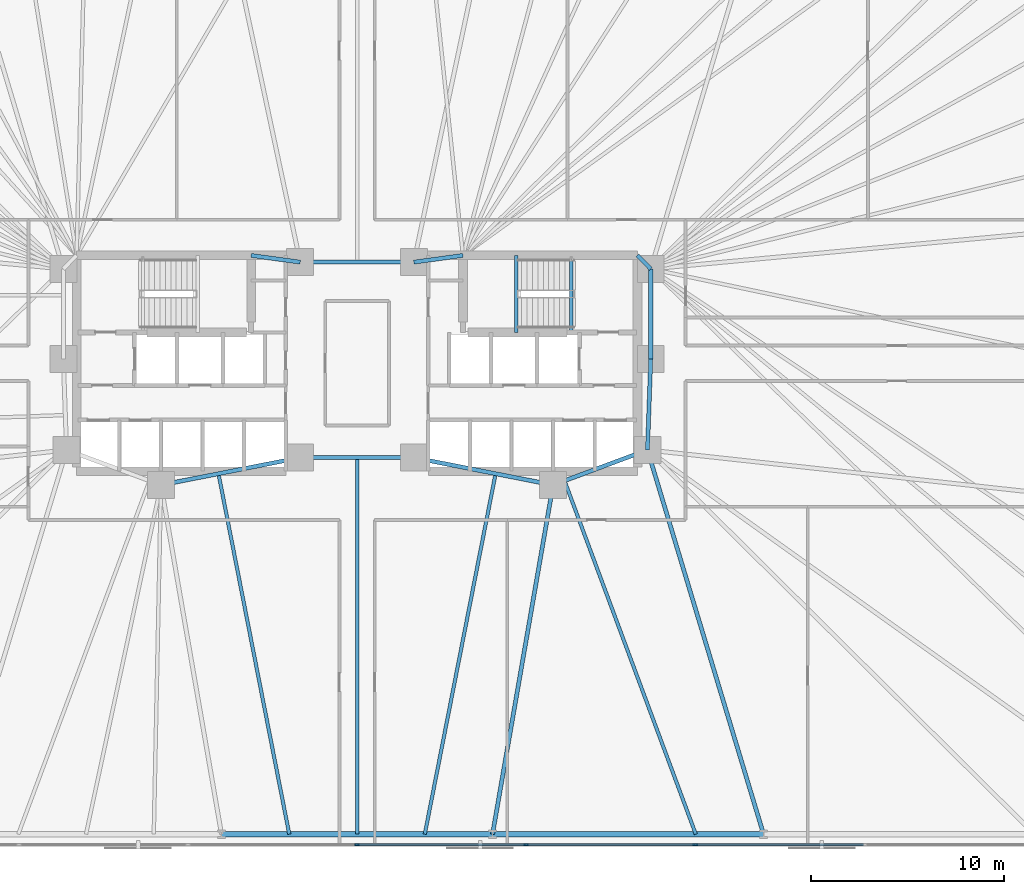
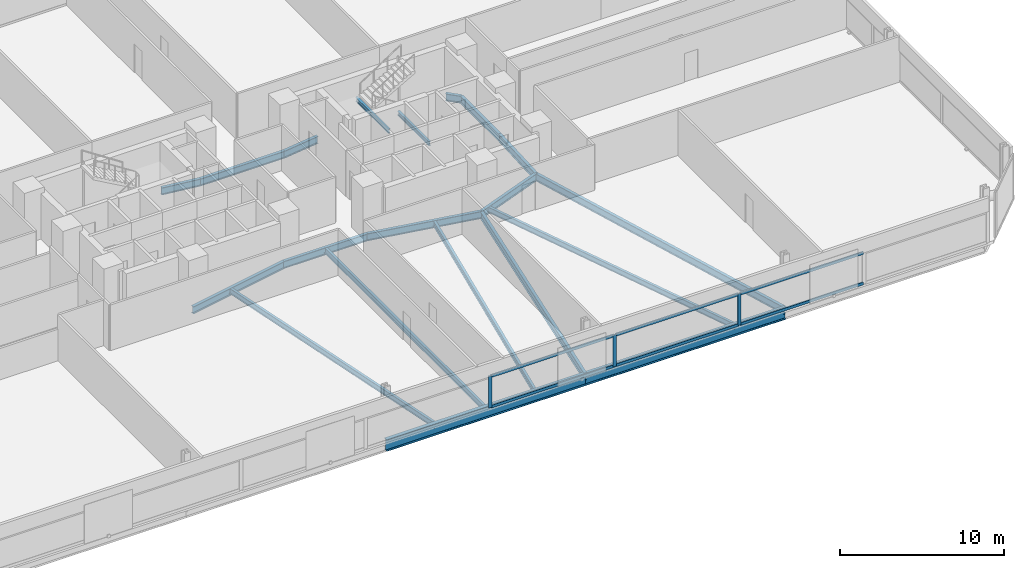
# One storey, part 7 of 17: 20 beams, 9 members, 1 element without a shape of its own.
"""IFC4 building model written with IfcOpenShell, lengths in metres."""

from ifc_helpers import new_model, si_unit, direction, frame, origin, origin_2d, place, context, subcontext, project, spatial, rectangle, i_section, extrude, material, material_profile, profile_set, type_object, element, aggregate, save


model = new_model("IFC4")

# Units and contexts
model_context = context("Model", 3, precision=1e-05, world=origin(), true_north=direction((0.0, 1.0)))
body_context = subcontext(model_context, "Body", "Model", "MODEL_VIEW")
ifc_project = project(units=[si_unit("LENGTHUNIT", "METRE"), si_unit("AREAUNIT", "SQUARE_METRE"), si_unit("VOLUMEUNIT", "CUBIC_METRE"), si_unit("PLANEANGLEUNIT", "RADIAN"), si_unit("MASSUNIT", "GRAM", prefix="KILO")], contexts=[model_context])

# Site, building, storey
site_placement = place(None, origin())
site = spatial("IfcSite", under=ifc_project, at=site_placement, CompositionType="ELEMENT")
building_placement = place(site_placement, origin())
building = spatial("IfcBuilding", under=site, at=building_placement, Name="Menara Jurai Vektor", CompositionType="ELEMENT")
storey_placement = place(building_placement, frame((0.0, 0.0, 75.0)))
storey = spatial("IfcBuildingStorey", under=building, at=storey_placement, Name="L18", CompositionType="ELEMENT", Elevation=75.0)

# Curtain wall, members
ifc_material_1 = material(Name="Anodised Pale Aluminium & Low-E Double Glazing", Category="aluminium")
curtain_wall_type = type_object("IfcCurtainWallType", Name="CW-BLK1", PredefinedType="NOTDEFINED", material=ifc_material_1)
curtain_wall_placement = place(storey_placement, origin())
curtain_wall = element("IfcCurtainWall", 1, at=curtain_wall_placement, inside=storey, type_object=curtain_wall_type, Name="Unitised Curtain Wall L18 F01", PredefinedType="NOTDEFINED")
ifc_material_2 = material(Name="Anodised Pale Aluminium Mullion", Category="aluminium")
ifc_material_profile_1 = material_profile(ifc_material_2, rectangle(XDim=0.094970703125, YDim=0.239990234375, at=origin_2d()), Name="ALU MUL 95x240")
ifc_profile_set_1 = profile_set([ifc_material_profile_1], Name="Anodised Pale Aluminium Mullion")
member_type_1 = type_object("IfcMemberType", Name="CW-BLK1-MUL", PredefinedType="MULLION", material=ifc_profile_set_1)
member_1_placement = place(storey_placement, frame((0.0, -25.0, 0.0), z_axis=(0.0, 0.0, 1.0), x_axis=(0.0, 1.0, 0.0)))
member_1 = element("IfcMember", 2, at=member_1_placement, type_object=member_type_1, Name="CW-01 mullion 5", PredefinedType="MULLION", context=body_context, shape_type="SweptSolid", body=[
    extrude(rectangle(XDim=0.094970703125, YDim=0.239990234375, at=origin_2d()), origin(), (0.0, 0.0, 1.0), 2.35888671875),
])
member_2_placement = place(storey_placement, frame((8.780029296875, -25.0, 0.0), z_axis=(0.0, 0.0, 1.0), x_axis=(0.0, 1.0, 0.0)))
member_2 = element("IfcMember", 3, at=member_2_placement, type_object=member_type_1, Name="CW-01 mullion 6", PredefinedType="MULLION", context=body_context, shape_type="SweptSolid", body=[
    extrude(rectangle(XDim=0.094970703125, YDim=0.239990234375, at=origin_2d()), origin(), (0.0, 0.0, 1.0), 2.35888671875),
])
member_3_placement = place(storey_placement, frame((17.56005859375, -25.0, 0.0), z_axis=(0.0, 0.0, 1.0), x_axis=(0.0, 1.0, 0.0)))
member_3 = element("IfcMember", 4, at=member_3_placement, type_object=member_type_1, Name="CW-01 mullion 7", PredefinedType="MULLION", context=body_context, shape_type="SweptSolid", body=[
    extrude(rectangle(XDim=0.094970703125, YDim=0.239990234375, at=origin_2d()), origin(), (0.0, 0.0, 1.0), 2.35888671875),
])
ifc_material_3 = material(Name="Anodised Pale Aluminium Transom", Category="aluminium")
ifc_material_profile_2 = material_profile(ifc_material_3, rectangle(XDim=0.094970703125, YDim=0.199951171875, at=origin_2d()), Name="ALU TRN 95x200")
ifc_profile_set_2 = profile_set([ifc_material_profile_2], Name="Anodised Pale Aluminium Transom")
member_type_2 = type_object("IfcMemberType", Name="CW-BLK1-TRN", PredefinedType="USERDEFINED", material=ifc_profile_set_2)
member_4_placement = place(storey_placement, frame((0.047607421875, -25.0, 0.047607421875), z_axis=(1.0, 0.0, 0.0), x_axis=(0.0, 1.0, 0.0)))
member_4 = element("IfcMember", 5, at=member_4_placement, type_object=member_type_2, Name="CW-01 transom 5.1", ObjectType="TRANSOM", PredefinedType="USERDEFINED", context=body_context, shape_type="SweptSolid", body=[
    extrude(rectangle(XDim=0.094970703125, YDim=0.199951171875, at=origin_2d()), origin(), (0.0, 0.0, 1.0), 8.684814453125),
])
member_5_placement = place(storey_placement, frame((0.047607421875, -25.0, 2.3115234375), z_axis=(1.0, 0.0, 0.0), x_axis=(0.0, 1.0, 0.0)))
member_5 = element("IfcMember", 6, at=member_5_placement, type_object=member_type_2, Name="CW-01 transom 5.2", ObjectType="TRANSOM", PredefinedType="USERDEFINED", context=body_context, shape_type="SweptSolid", body=[
    extrude(rectangle(XDim=0.094970703125, YDim=0.199951171875, at=origin_2d()), origin(), (0.0, 0.0, 1.0), 8.684814453125),
])
member_6_placement = place(storey_placement, frame((8.827392578125, -25.0, 0.047607421875), z_axis=(1.0, 0.0, 0.0), x_axis=(0.0, 1.0, 0.0)))
member_6 = element("IfcMember", 7, at=member_6_placement, type_object=member_type_2, Name="CW-01 transom 6.1", ObjectType="TRANSOM", PredefinedType="USERDEFINED", context=body_context, shape_type="SweptSolid", body=[
    extrude(rectangle(XDim=0.094970703125, YDim=0.199951171875, at=origin_2d()), origin(), (0.0, 0.0, 1.0), 8.68505859375),
])
member_7_placement = place(storey_placement, frame((8.827392578125, -25.0, 2.3115234375), z_axis=(1.0, 0.0, 0.0), x_axis=(0.0, 1.0, 0.0)))
member_7 = element("IfcMember", 8, at=member_7_placement, type_object=member_type_2, Name="CW-01 transom 6.2", ObjectType="TRANSOM", PredefinedType="USERDEFINED", context=body_context, shape_type="SweptSolid", body=[
    extrude(rectangle(XDim=0.094970703125, YDim=0.199951171875, at=origin_2d()), origin(), (0.0, 0.0, 1.0), 8.68505859375),
])
member_8_placement = place(storey_placement, frame((17.607421875, -25.0, 0.047607421875), z_axis=(1.0, 0.0, 0.0), x_axis=(0.0, 1.0, 0.0)))
member_8 = element("IfcMember", 9, at=member_8_placement, type_object=member_type_2, Name="CW-01 transom 7.1", ObjectType="TRANSOM", PredefinedType="USERDEFINED", context=body_context, shape_type="SweptSolid", body=[
    extrude(rectangle(XDim=0.094970703125, YDim=0.199951171875, at=origin_2d()), origin(), (0.0, 0.0, 1.0), 8.68505859375),
])
member_9_placement = place(storey_placement, frame((17.607421875, -25.0, 2.3115234375), z_axis=(1.0, 0.0, 0.0), x_axis=(0.0, 1.0, 0.0)))
member_9 = element("IfcMember", 10, at=member_9_placement, type_object=member_type_2, Name="CW-01 transom 7.2", ObjectType="TRANSOM", PredefinedType="USERDEFINED", context=body_context, shape_type="SweptSolid", body=[
    extrude(rectangle(XDim=0.094970703125, YDim=0.199951171875, at=origin_2d()), origin(), (0.0, 0.0, 1.0), 8.68505859375),
])
aggregate(curtain_wall, [member_1, member_2, member_3, member_4, member_5, member_6, member_7, member_8, member_9])

# Beams
ifc_material_4 = material(Name="Steel S355", Category="steel")
ifc_material_profile_3 = material_profile(ifc_material_4, i_section(OverallWidth=0.2109375, OverallDepth=0.5390625, WebThickness=0.011962890625, FlangeThickness=0.01904296875, FilletRadius=0.012939453125, at=origin_2d()), Name="UKB 533x210x109")
ifc_profile_set_3 = profile_set([ifc_material_profile_3], Name="Steel S355")
beam_type_1 = type_object("IfcBeamType", Name="STR-BM-533", PredefinedType="BEAM", material=ifc_profile_set_3)
beam_1_placement = place(storey_placement, frame((-5.5, 5.60009765625, -0.494384765625), z_axis=(0.990706818608, -0.136014703483, 0.0), x_axis=(0.136014703483, 0.990706818608, 0.0)))
element("IfcBeam", 11, at=beam_1_placement, inside=storey, type_object=beam_type_1, Name="Core Ring Header Girder L18-CHW-N2", PredefinedType="BEAM", context=body_context, shape_type="SweptSolid", body=[
    extrude(i_section(OverallWidth=0.2109375, OverallDepth=0.5390625, WebThickness=0.011962890625, FlangeThickness=0.01904296875, FilletRadius=0.012939453125, at=origin_2d()), origin(), (0.0, 0.0, 1.0), 2.573974609375),
])
beam_2_placement = place(storey_placement, frame((-10.179931640625, -6.320068359375, -0.494384765625), z_axis=(0.981249044334, 0.192744164614, 0.0), x_axis=(-0.192744164614, 0.981249044334, 0.0)))
element("IfcBeam", 12, at=beam_2_placement, inside=storey, type_object=beam_type_1, Name="Core Ring Header Girder L18-CHW-S2", PredefinedType="BEAM", context=body_context, shape_type="SweptSolid", body=[
    extrude(i_section(OverallWidth=0.2109375, OverallDepth=0.5390625, WebThickness=0.011962890625, FlangeThickness=0.01904296875, FilletRadius=0.012939453125, at=origin_2d()), origin(), (0.0, 0.0, 1.0), 7.3681640625),
])
beam_3_placement = place(storey_placement, frame((2.949951171875, 5.25, -0.494384765625), z_axis=(0.990706818608, 0.136014703483, 0.0), x_axis=(-0.136014703483, 0.990706818608, 0.0)))
element("IfcBeam", 13, at=beam_3_placement, inside=storey, type_object=beam_type_1, Name="Core Ring Header Girder L18-CHE-N1", PredefinedType="BEAM", context=body_context, shape_type="SweptSolid", body=[
    extrude(i_section(OverallWidth=0.2109375, OverallDepth=0.5390625, WebThickness=0.011962890625, FlangeThickness=0.01904296875, FilletRadius=0.012939453125, at=origin_2d()), origin(), (0.0, 0.0, 1.0), 2.573974609375),
])
beam_4_placement = place(storey_placement, frame((14.56005859375, 5.60009765625, -0.494384765625), z_axis=(0.701871936926, -0.712303154672, 0.0), x_axis=(0.712303154672, 0.701871936926, 0.0)))
element("IfcBeam", 14, at=beam_4_placement, inside=storey, type_object=beam_type_1, Name="Core Ring Header Girder L18-CHE-N2", PredefinedType="BEAM", context=body_context, shape_type="SweptSolid", body=[
    extrude(i_section(OverallWidth=0.2109375, OverallDepth=0.5390625, WebThickness=0.011962890625, FlangeThickness=0.01904296875, FilletRadius=0.012939453125, at=origin_2d()), origin(), (0.0, 0.0, 1.0), 0.98291015625),
])
beam_5_placement = place(storey_placement, frame((15.25, 0.219970703125, -0.494384765625), z_axis=(0.0, 1.0, 0.0), x_axis=(-1.0, 0.0, 0.0)))
element("IfcBeam", 15, at=beam_5_placement, inside=storey, type_object=beam_type_1, Name="Core Ring Header Girder L18-CHE-E1", PredefinedType="BEAM", context=body_context, shape_type="SweptSolid", body=[
    extrude(i_section(OverallWidth=0.2109375, OverallDepth=0.5390625, WebThickness=0.011962890625, FlangeThickness=0.01904296875, FilletRadius=0.012939453125, at=origin_2d()), origin(), (0.0, 0.0, 1.0), 4.679931640625),
])
beam_6_placement = place(storey_placement, frame((15.080078125, -4.5, -0.494384765625), z_axis=(0.035977314146, 0.999352606874, 0.0), x_axis=(-0.999352606874, 0.035977314146, 0.0)))
element("IfcBeam", 16, at=beam_6_placement, inside=storey, type_object=beam_type_1, Name="Core Ring Header Girder L18-CHE-E2", PredefinedType="BEAM", context=body_context, shape_type="SweptSolid", body=[
    extrude(i_section(OverallWidth=0.2109375, OverallDepth=0.5390625, WebThickness=0.011962890625, FlangeThickness=0.01904296875, FilletRadius=0.012939453125, at=origin_2d()), origin(), (0.0, 0.0, 1.0), 4.72314453125),
])
beam_7_placement = place(storey_placement, frame((10.179931640625, -6.320068359375, -0.494384765625), z_axis=(0.937424400887, 0.348188874925, 0.0), x_axis=(-0.348188874925, 0.937424400887, 0.0)))
element("IfcBeam", 17, at=beam_7_placement, inside=storey, type_object=beam_type_1, Name="Core Ring Header Girder L18-CHE-S1", PredefinedType="BEAM", context=body_context, shape_type="SweptSolid", body=[
    extrude(i_section(OverallWidth=0.2109375, OverallDepth=0.5390625, WebThickness=0.011962890625, FlangeThickness=0.01904296875, FilletRadius=0.012939453125, at=origin_2d()), origin(), (0.0, 0.0, 1.0), 5.227294921875),
])
beam_8_placement = place(storey_placement, frame((2.949951171875, -4.89990234375, -0.494384765625), z_axis=(0.981249044334, -0.192744164614, 0.0), x_axis=(0.192744164614, 0.981249044334, 0.0)))
element("IfcBeam", 18, at=beam_8_placement, inside=storey, type_object=beam_type_1, Name="Core Ring Header Girder L18-CHE-S2", PredefinedType="BEAM", context=body_context, shape_type="SweptSolid", body=[
    extrude(i_section(OverallWidth=0.2109375, OverallDepth=0.5390625, WebThickness=0.011962890625, FlangeThickness=0.01904296875, FilletRadius=0.012939453125, at=origin_2d()), origin(), (0.0, 0.0, 1.0), 7.3681640625),
])
for number, where, z_axis, x_axis, name in (
    (19, (-2.949951171875, -4.89990234375, -0.494384765625), (1.0, 0.0, 0.0), (0.0, 1.0, 0.0), "Core Ring Header Girder L18-CC-1"),
    (20, (-2.949951171875, 5.25, -0.494384765625), (1.0, 0.0, 0.0), (0.0, 1.0, 0.0), "Core Ring Header Girder L18-CC-2"),
):
    element("IfcBeam", number, at=place(storey_placement, frame(where, z_axis=z_axis, x_axis=x_axis)), inside=storey, type_object=beam_type_1, Name=name, PredefinedType="BEAM", context=body_context, shape_type="SweptSolid", body=[
        extrude(i_section(OverallWidth=0.2109375, OverallDepth=0.5390625, WebThickness=0.011962890625, FlangeThickness=0.01904296875, FilletRadius=0.012939453125, at=origin_2d()), origin(), (0.0, 0.0, 1.0), 5.89990234375),
    ])
beam_9_placement = place(storey_placement, frame((7.03564453125, -24.449951171875, -0.494384765625), z_axis=(0.170880325642, 0.985291791455, 0.0), x_axis=(-0.985291791455, 0.170880325642, 0.0)))
element("IfcBeam", 21, at=beam_9_placement, inside=storey, type_object=beam_type_1, Name="Radial Floor Girder L18-S4", PredefinedType="BEAM", context=body_context, shape_type="SweptSolid", body=[
    extrude(i_section(OverallWidth=0.2109375, OverallDepth=0.5390625, WebThickness=0.011962890625, FlangeThickness=0.01904296875, FilletRadius=0.012939453125, at=origin_2d()), origin(), (0.0, 0.0, 1.0), 18.400634765625),
])
beam_10_placement = place(storey_placement, frame((21.106689453125, -24.449951171875, -0.494384765625), z_axis=(-0.289179812203, 0.957274796604, 0.0), x_axis=(-0.957274796604, -0.289179812203, 0.0)))
element("IfcBeam", 22, at=beam_10_placement, inside=storey, type_object=beam_type_1, Name="Radial Floor Girder L18-S5", PredefinedType="BEAM", context=body_context, shape_type="SweptSolid", body=[
    extrude(i_section(OverallWidth=0.2109375, OverallDepth=0.5390625, WebThickness=0.011962890625, FlangeThickness=0.01904296875, FilletRadius=0.012939453125, at=origin_2d()), origin(), (0.0, 0.0, 1.0), 20.84033203125),
])
ifc_material_profile_4 = material_profile(ifc_material_4, i_section(OverallWidth=0.178955078125, OverallDepth=0.408935546875, WebThickness=0.009033203125, FlangeThickness=0.013916015625, FilletRadius=0.010009765625, at=origin_2d()), Name="UKB 406x178x67")
ifc_profile_set_4 = profile_set([ifc_material_profile_4], Name="Steel S355")
beam_type_2 = type_object("IfcBeamType", Name="STR-JS-406", PredefinedType="JOIST", material=ifc_profile_set_4)
beam_11_placement = place(storey_placement, frame((-3.517822265625, -24.449951171875, -0.429443359375), z_axis=(-0.192723076671, 0.981253186348, 0.0), x_axis=(-0.981253186348, -0.192723076671, 0.0)))
element("IfcBeam", 23, at=beam_11_placement, inside=storey, type_object=beam_type_2, Name="Radial Secondary Floor Joist L18-JS04", PredefinedType="JOIST", context=body_context, shape_type="SweptSolid", body=[
    extrude(i_section(OverallWidth=0.178955078125, OverallDepth=0.408935546875, WebThickness=0.009033203125, FlangeThickness=0.013916015625, FilletRadius=0.010009765625, at=origin_2d()), origin(), (0.0, 0.0, 1.0), 19.07421875),
])
beam_12_placement = place(storey_placement, frame((0.0, -24.449951171875, -0.429443359375), z_axis=(0.0, 1.0, 0.0), x_axis=(-1.0, 0.0, 0.0)))
element("IfcBeam", 24, at=beam_12_placement, inside=storey, type_object=beam_type_2, Name="Radial Secondary Floor Joist L18-JS05", PredefinedType="JOIST", context=body_context, shape_type="SweptSolid", body=[
    extrude(i_section(OverallWidth=0.178955078125, OverallDepth=0.408935546875, WebThickness=0.009033203125, FlangeThickness=0.013916015625, FilletRadius=0.010009765625, at=origin_2d()), origin(), (0.0, 0.0, 1.0), 19.550048828125),
])
beam_13_placement = place(storey_placement, frame((3.517822265625, -24.449951171875, -0.429443359375), z_axis=(0.192723076671, 0.981253186348, 0.0), x_axis=(-0.981253186348, 0.192723076671, 0.0)))
element("IfcBeam", 25, at=beam_13_placement, inside=storey, type_object=beam_type_2, Name="Radial Secondary Floor Joist L18-JS06", PredefinedType="JOIST", context=body_context, shape_type="SweptSolid", body=[
    extrude(i_section(OverallWidth=0.178955078125, OverallDepth=0.408935546875, WebThickness=0.009033203125, FlangeThickness=0.013916015625, FilletRadius=0.010009765625, at=origin_2d()), origin(), (0.0, 0.0, 1.0), 19.07421875),
])
beam_14_placement = place(storey_placement, frame((17.5888671875, -24.449951171875, -0.429443359375), z_axis=(-0.348179014223, 0.937428063403, 0.0), x_axis=(-0.937428063403, -0.348179014223, 0.0)))
element("IfcBeam", 26, at=beam_14_placement, inside=storey, type_object=beam_type_2, Name="Radial Secondary Floor Joist L18-JS07", PredefinedType="JOIST", context=body_context, shape_type="SweptSolid", body=[
    extrude(i_section(OverallWidth=0.178955078125, OverallDepth=0.408935546875, WebThickness=0.009033203125, FlangeThickness=0.013916015625, FilletRadius=0.010009765625, at=origin_2d()), origin(), (0.0, 0.0, 1.0), 19.5751953125),
])
ifc_material_profile_5 = material_profile(ifc_material_4, i_section(OverallWidth=0.1650390625, OverallDepth=0.302978515625, WebThickness=0.006103515625, FlangeThickness=0.010009765625, FilletRadius=0.009033203125, at=origin_2d()), Name="UKB 305x165x40")
ifc_profile_set_5 = profile_set([ifc_material_profile_5], Name="Steel S355")
beam_type_3 = type_object("IfcBeamType", Name="STR-LN-305", PredefinedType="LINTEL", material=ifc_profile_set_5)
beam_15_placement = place(storey_placement, frame((11.1201171875, 1.60009765625, -0.37646484375), z_axis=(0.0, 1.0, 0.0), x_axis=(-1.0, 0.0, 0.0)))
element("IfcBeam", 27, at=beam_15_placement, inside=storey, type_object=beam_type_3, Name="Stair Well Floor Trimmer ST2 L18", PredefinedType="LINTEL", context=body_context, shape_type="SweptSolid", body=[
    extrude(i_section(OverallWidth=0.1650390625, OverallDepth=0.302978515625, WebThickness=0.006103515625, FlangeThickness=0.010009765625, FilletRadius=0.009033203125, at=origin_2d()), origin(), (0.0, 0.0, 1.0), 3.81982421875),
])
beam_16_placement = place(storey_placement, frame((8.27001953125, 1.60009765625, 1.548583984375), z_axis=(0.0, 1.0, 0.0), x_axis=(-1.0, 0.0, 0.0)))
element("IfcBeam", 28, at=beam_16_placement, inside=storey, type_object=beam_type_3, Name="Stair Half-Landing Nosing Trimmer ST2-1 L18", PredefinedType="LINTEL", context=body_context, shape_type="SweptSolid", body=[
    extrude(i_section(OverallWidth=0.1650390625, OverallDepth=0.302978515625, WebThickness=0.006103515625, FlangeThickness=0.010009765625, FilletRadius=0.009033203125, at=origin_2d()), origin(), (0.0, 0.0, 1.0), 4.0),
])
ifc_material_5 = material(Name="Steel S460", Category="steel")
ifc_material_profile_6 = material_profile(ifc_material_5, i_section(OverallWidth=0.2939453125, OverallDepth=0.85107421875, WebThickness=0.01611328125, FlangeThickness=0.027099609375, FilletRadius=0.01806640625, at=origin_2d()), Name="UKB 838x292x226")
ifc_profile_set_6 = profile_set([ifc_material_profile_6], Name="Steel S460")
beam_type_4 = type_object("IfcBeamType", Name="STR-SP-838", PredefinedType="SPANDREL", material=ifc_profile_set_6)
beam_17_placement = place(storey_placement, frame((-7.03564453125, -24.449951171875, -0.650390625), z_axis=(1.0, 0.0, 0.0), x_axis=(0.0, 1.0, 0.0)))
element("IfcBeam", 29, at=beam_17_placement, inside=storey, type_object=beam_type_4, Name="Exoskeleton Spandrel Beam L18-03", PredefinedType="SPANDREL", context=body_context, shape_type="SweptSolid", body=[
    extrude(i_section(OverallWidth=0.2939453125, OverallDepth=0.85107421875, WebThickness=0.01611328125, FlangeThickness=0.027099609375, FilletRadius=0.01806640625, at=origin_2d()), origin(), (0.0, 0.0, 1.0), 14.0712890625),
])
beam_18_placement = place(storey_placement, frame((7.03564453125, -24.449951171875, -0.650390625), z_axis=(1.0, 0.0, 0.0), x_axis=(0.0, 1.0, 0.0)))
element("IfcBeam", 30, at=beam_18_placement, inside=storey, type_object=beam_type_4, Name="Exoskeleton Spandrel Beam L18-04", PredefinedType="SPANDREL", context=body_context, shape_type="SweptSolid", body=[
    extrude(i_section(OverallWidth=0.2939453125, OverallDepth=0.85107421875, WebThickness=0.01611328125, FlangeThickness=0.027099609375, FilletRadius=0.01806640625, at=origin_2d()), origin(), (0.0, 0.0, 1.0), 14.071044921875),
])

save(model, "model.ifc")
